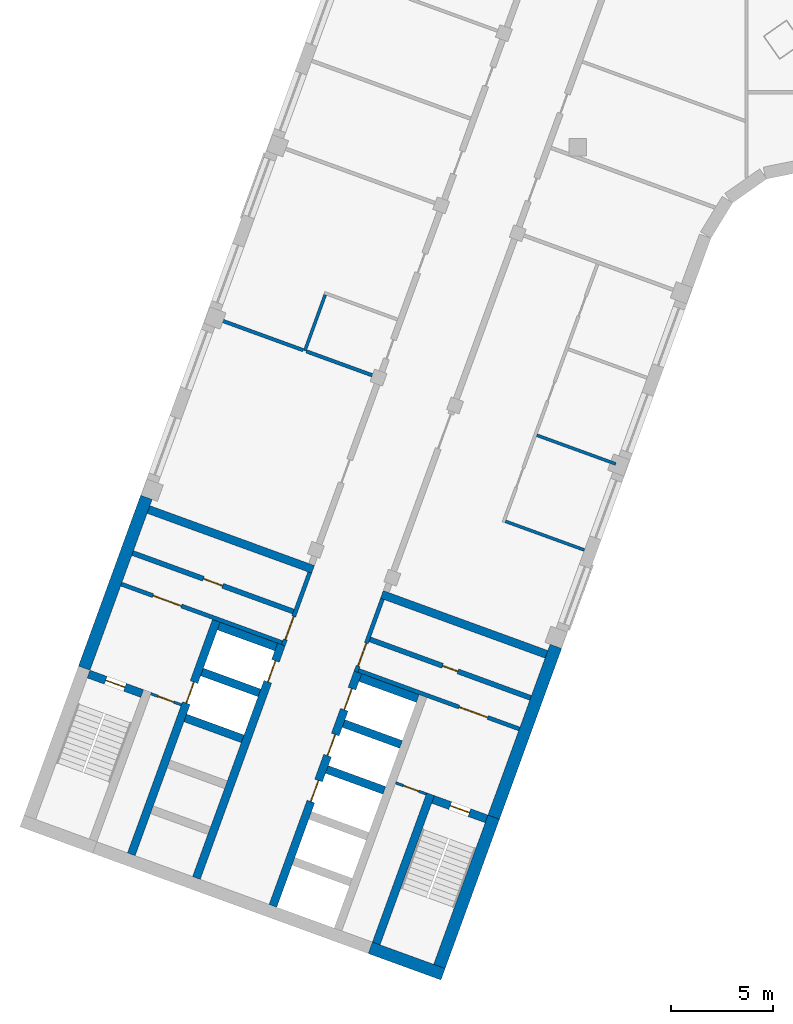
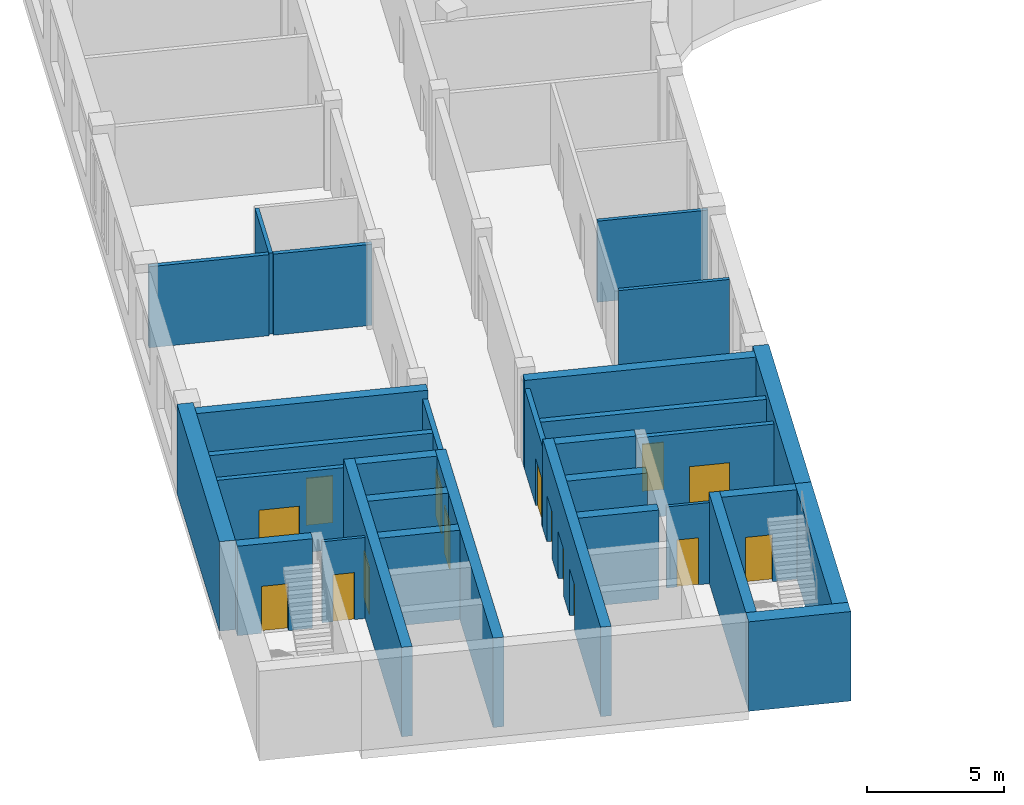
# One storey, part 2 of 8: 31 walls, 15 doors, 15 openings.
"""IFC4 building model written with IfcOpenShell, lengths in metres."""

from ifc_helpers import new_model, si_unit, direction, frame, frame_2d, origin, place, context, subcontext, project, spatial, rectangle, extrude, material, layer, layer_set, type_object, element, fill, save


model = new_model("IFC4")

# Units and contexts
model_context = context("Model", 3, precision=1e-05, world=origin(), true_north=direction((0.0, 1.0)))
body_context = subcontext(model_context, "Body", "Model", "MODEL_VIEW")
ifc_project = project(units=[si_unit("LENGTHUNIT", "METRE"), si_unit("AREAUNIT", "SQUARE_METRE"), si_unit("VOLUMEUNIT", "CUBIC_METRE"), si_unit("PLANEANGLEUNIT", "RADIAN"), si_unit("MASSUNIT", "GRAM", prefix="KILO")], contexts=[model_context])

# Site, building, storey
site_placement = place(None, origin())
site = spatial("IfcSite", under=ifc_project, at=site_placement, CompositionType="ELEMENT")
building_placement = place(site_placement, origin())
building = spatial("IfcBuilding", under=site, at=building_placement, Name="Skarvind Civic Tower", CompositionType="ELEMENT")
storey_placement = place(building_placement, frame((0.0, 0.0, 125.0)))
storey = spatial("IfcBuildingStorey", under=building, at=storey_placement, Name="L29", CompositionType="ELEMENT", Elevation=125.0)

# Walls
ifc_material_1 = material(Name="Acoustic gypsum board on steel studs", Category="steel")
ifc_layer_1 = layer(ifc_material_1, 0.175048828125)
ifc_layer_set_1 = layer_set([ifc_layer_1], Name="ACOUSTIC MEETING-ROOM PARTITION 175")
wall_type_1 = type_object("IfcWallType", Name="ACOUSTIC MEETING-ROOM PARTITION 175", PredefinedType="PARTITIONING", material=ifc_layer_set_1)
wall_1_placement = place(storey_placement, frame((28.27490234375, 109.708984375, 0.0), z_axis=(0.0, 0.0, 1.0), x_axis=(0.939727969122, -0.34192300895, 0.0)))
element("IfcWall", 1, at=wall_1_placement, inside=storey, type_object=wall_type_1, Name="Partition 29.001", PredefinedType="PARTITIONING", context=body_context, shape_type="SweptSolid", body=[
    extrude(rectangle(XDim=4.46630859375, YDim=0.175048828125, at=frame_2d((2.233154296875, 0.0))), origin(), (0.0, 0.0, 1.0), 3.625),
])
wall_2_placement = place(storey_placement, frame((32.6298828125, 108.1240234375, 0.0), z_axis=(0.0, 0.0, 1.0), x_axis=(0.939692277825, -0.342021085601, 0.0)))
element("IfcWall", 2, at=wall_2_placement, inside=storey, type_object=wall_type_1, Name="Partition 29.003", PredefinedType="PARTITIONING", context=body_context, shape_type="SweptSolid", body=[
    extrude(rectangle(XDim=3.666259765625, YDim=0.175048828125, at=frame_2d((1.8330078125, 0.0))), origin(), (0.0, 0.0, 1.0), 3.625),
])

# Wall, opening, door
ifc_material_2 = material(Name="Fire-rated masonry partition", Category="masonry")
ifc_layer_2 = layer(ifc_material_2, 0.199951171875)
ifc_layer_set_2 = layer_set([ifc_layer_2], Name="Core enclosure wall 200")
wall_type_2 = type_object("IfcWallType", Name="Core enclosure wall 200", PredefinedType="PARTITIONING", material=ifc_layer_set_2)
wall_3_placement = place(storey_placement, frame((31.491455078125, 93.693359375, 0.0), z_axis=(0.0, 0.0, 1.0), x_axis=(0.341995824804, 0.939701471648, 0.0)))
wall_3 = element("IfcWall", 3, at=wall_3_placement, inside=storey, type_object=wall_type_2, Name="Core wall C2", PredefinedType="PARTITIONING", context=body_context, shape_type="SweptSolid", body=[
    extrude(rectangle(XDim=3.800048828125, YDim=0.199951171875, at=frame_2d((1.89990234375, 0.0))), origin(), (0.0, 0.0, 1.0), 3.625),
])
opening_1_placement = place(wall_3_placement, frame((0.300048828125, 0.0, 0.0)))
opening_1 = element("IfcOpeningElement", 4, at=opening_1_placement, cuts=wall_3, Name="Opening D-L29-C2-05", PredefinedType="OPENING", context=body_context, shape_type="SweptSolid", body=[
    extrude(rectangle(XDim=1.199951171875, YDim=2.10009765625, at=frame_2d((0.60009765625, 1.050048828125))), frame((0.0, 0.10986328125, 0.0), z_axis=(0.0, -1.0, 0.0), x_axis=(1.0, 0.0, 0.0)), (0.0, 0.0, 1.0), 0.219970703125),
])
ifc_material_3 = material(Name="Fire-rated steel door", Category="steel")
door_type_1 = type_object("IfcDoorType", Name="Core lobby door 1200", OperationType="NOTDEFINED", PredefinedType="DOOR", material=ifc_material_3)
door_1_placement = place(opening_1_placement, origin())
door_1 = element("IfcDoor", 5, at=door_1_placement, inside=storey, type_object=door_type_1, Name="Fire door", OperationType="DOUBLE_DOOR_SINGLE_SWING", OverallHeight=2.10009765625, OverallWidth=1.199951171875, PredefinedType="DOOR", context=body_context, shape_type="SweptSolid", body=[
    extrude(rectangle(XDim=1.199951171875, YDim=2.10009765625, at=frame_2d((0.60009765625, 1.050048828125))), frame((0.0, 0.02490234375, 0.0), z_axis=(0.0, -1.0, 0.0), x_axis=(1.0, 0.0, 0.0)), (0.0, 0.0, 1.0), 0.050048828125),
])
fill(opening_1, door_1)

wall_4_placement = place(storey_placement, frame((23.5380859375, 96.6943359375, 0.0), z_axis=(0.0, 0.0, 1.0), x_axis=(0.939691552312, -0.342023078919, 0.0)))
wall_4 = element("IfcWall", 6, at=wall_4_placement, inside=storey, type_object=wall_type_2, Name="Core wall C2", PredefinedType="PARTITIONING", context=body_context, shape_type="SweptSolid", body=[
    extrude(rectangle(XDim=8.400146484375, YDim=0.199951171875, at=frame_2d((4.2001953125, 0.0))), origin(), (0.0, 0.0, 1.0), 3.625),
])
opening_2_placement = place(wall_4_placement, frame((1.64990234375, 0.0, 0.0)))
opening_2 = element("IfcOpeningElement", 7, at=opening_2_placement, cuts=wall_4, Name="Opening D-L29-C2-06", PredefinedType="OPENING", context=body_context, shape_type="SweptSolid", body=[
    extrude(rectangle(XDim=1.5, YDim=2.10009765625, at=frame_2d((0.75, 1.050048828125))), frame((0.0, 0.10986328125, 0.0), z_axis=(0.0, -1.0, 0.0), x_axis=(1.0, 0.0, 0.0)), (0.0, 0.0, 1.0), 0.219970703125),
])
door_type_2 = type_object("IfcDoorType", Name="Fire door 1500", OperationType="NOTDEFINED", PredefinedType="DOOR", material=ifc_material_3)
door_2_placement = place(opening_2_placement, origin())
door_2 = element("IfcDoor", 8, at=door_2_placement, inside=storey, type_object=door_type_2, Name="Fire door", OperationType="DOUBLE_DOOR_SINGLE_SWING", OverallHeight=2.10009765625, OverallWidth=1.5, PredefinedType="DOOR", context=body_context, shape_type="SweptSolid", body=[
    extrude(rectangle(XDim=1.5, YDim=2.10009765625, at=frame_2d((0.75, 1.050048828125))), frame((0.0, 0.02490234375, 0.0), z_axis=(0.0, -1.0, 0.0), x_axis=(1.0, 0.0, 0.0)), (0.0, 0.0, 1.0), 0.050048828125),
])
fill(opening_2, door_2)

wall_5_placement = place(storey_placement, frame((36.36181640625, 95.96435546875, 0.0), z_axis=(0.0, 0.0, 1.0), x_axis=(-0.341995824804, -0.939701471648, 0.0)))
wall_5 = element("IfcWall", 9, at=wall_5_placement, inside=storey, type_object=wall_type_2, Name="Core wall C2", PredefinedType="PARTITIONING", context=body_context, shape_type="SweptSolid", body=[
    extrude(rectangle(XDim=3.800048828125, YDim=0.199951171875, at=frame_2d((1.89990234375, 0.0))), origin(), (0.0, 0.0, 1.0), 3.625),
])
opening_3_placement = place(wall_5_placement, frame((2.300048828125, 0.0, 0.0)))
opening_3 = element("IfcOpeningElement", 10, at=opening_3_placement, cuts=wall_5, Name="Opening D-L29-C2-10", PredefinedType="OPENING", context=body_context, shape_type="SweptSolid", body=[
    extrude(rectangle(XDim=1.199951171875, YDim=2.10009765625, at=frame_2d((0.60009765625, 1.050048828125))), frame((0.0, 0.10986328125, 0.0), z_axis=(0.0, -1.0, 0.0), x_axis=(1.0, 0.0, 0.0)), (0.0, 0.0, 1.0), 0.219970703125),
])
door_3_placement = place(opening_3_placement, origin())
door_3 = element("IfcDoor", 11, at=door_3_placement, inside=storey, type_object=door_type_1, Name="Fire door", OperationType="DOUBLE_DOOR_SINGLE_SWING", OverallHeight=2.10009765625, OverallWidth=1.199951171875, PredefinedType="DOOR", context=body_context, shape_type="SweptSolid", body=[
    extrude(rectangle(XDim=1.199951171875, YDim=2.10009765625, at=frame_2d((0.60009765625, 1.050048828125))), frame((0.0, 0.02490234375, 0.0), z_axis=(0.0, -1.0, 0.0), x_axis=(1.0, 0.0, 0.0)), (0.0, 0.0, 1.0), 0.050048828125),
])
fill(opening_3, door_3)

wall_6_placement = place(storey_placement, frame((35.1904296875, 92.453369140625, 0.0), z_axis=(0.0, 0.0, 1.0), x_axis=(0.939691552312, -0.342023078919, 0.0)))
wall_6 = element("IfcWall", 12, at=wall_6_placement, inside=storey, type_object=wall_type_2, Name="Core wall C2", PredefinedType="PARTITIONING", context=body_context, shape_type="SweptSolid", body=[
    extrude(rectangle(XDim=8.400146484375, YDim=0.199951171875, at=frame_2d((4.2001953125, 0.0))), origin(), (0.0, 0.0, 1.0), 3.625),
])
opening_4_placement = place(wall_6_placement, frame((5.25, 0.0, 0.0)))
opening_4 = element("IfcOpeningElement", 13, at=opening_4_placement, cuts=wall_6, Name="Opening D-L29-C2-11", PredefinedType="OPENING", context=body_context, shape_type="SweptSolid", body=[
    extrude(rectangle(XDim=1.5, YDim=2.10009765625, at=frame_2d((0.75, 1.050048828125))), frame((0.0, 0.10986328125, 0.0), z_axis=(0.0, -1.0, 0.0), x_axis=(1.0, 0.0, 0.0)), (0.0, 0.0, 1.0), 0.219970703125),
])
door_4_placement = place(opening_4_placement, origin())
door_4 = element("IfcDoor", 14, at=door_4_placement, inside=storey, type_object=door_type_2, Name="Fire door", OperationType="DOUBLE_DOOR_SINGLE_SWING", OverallHeight=2.10009765625, OverallWidth=1.5, PredefinedType="DOOR", context=body_context, shape_type="SweptSolid", body=[
    extrude(rectangle(XDim=1.5, YDim=2.10009765625, at=frame_2d((0.75, 1.050048828125))), frame((0.0, 0.02490234375, 0.0), z_axis=(0.0, -1.0, 0.0), x_axis=(1.0, 0.0, 0.0)), (0.0, 0.0, 1.0), 0.050048828125),
])
fill(opening_4, door_4)

# Wall
ifc_material_4 = material(Name="Concrete C80", Category="concrete")
ifc_layer_3 = layer(ifc_material_4, 0.39990234375)
ifc_layer_set_3 = layer_set([ifc_layer_3], Name="Core wall 400 C80")
wall_type_3 = type_object("IfcWallType", Name="Core wall 400 C80", PredefinedType="SHEAR", material=ifc_layer_set_3)
wall_7_placement = place(storey_placement, frame((36.057861328125, 79.04833984375, 0.0), z_axis=(0.0, 0.0, 1.0), x_axis=(0.342016982193, 0.939693771338, 0.0)))
element("IfcWall", 15, at=wall_7_placement, inside=storey, type_object=wall_type_3, Name="Core wall C2 south stair inner L29", PredefinedType="SHEAR", context=body_context, shape_type="SweptSolid", body=[
    extrude(rectangle(XDim=7.800048828125, YDim=0.39990234375, at=frame_2d((3.89990234375, 0.0))), origin(), (0.0, 0.0, 1.0), 4.0),
])

# Wall, opening, door
wall_8_placement = place(storey_placement, frame((41.476318359375, 85.163818359375, 0.0), z_axis=(0.0, 0.0, 1.0), x_axis=(-0.939678810556, 0.342058084236, 0.0)))
wall_8 = element("IfcWall", 16, at=wall_8_placement, inside=storey, type_object=wall_type_3, Name="Core wall C2 south stair end L29", PredefinedType="SHEAR", context=body_context, shape_type="SweptSolid", body=[
    extrude(rectangle(XDim=2.800048828125, YDim=0.39990234375, at=frame_2d((1.39990234375, 0.0))), origin(), (0.0, 0.0, 1.0), 4.0),
])
opening_5_placement = place(wall_8_placement, frame((0.89990234375, 0.0, 0.0)))
opening_5 = element("IfcOpeningElement", 17, at=opening_5_placement, cuts=wall_8, Name="Opening D-L29-C2-12", PredefinedType="OPENING", context=body_context, shape_type="SweptSolid", body=[
    extrude(rectangle(XDim=1.0, YDim=2.10009765625, at=frame_2d((0.5, 1.050048828125))), frame((0.0, 0.2099609375, 0.0), z_axis=(0.0, -1.0, 0.0), x_axis=(1.0, 0.0, 0.0)), (0.0, 0.0, 1.0), 0.419921875),
])
door_type_3 = type_object("IfcDoorType", Name="Fire door 1000", OperationType="NOTDEFINED", PredefinedType="DOOR", material=ifc_material_3)
door_5_placement = place(opening_5_placement, origin())
door_5 = element("IfcDoor", 18, at=door_5_placement, inside=storey, type_object=door_type_3, Name="Fire door", OperationType="SINGLE_SWING_RIGHT", OverallHeight=2.10009765625, OverallWidth=1.0, PredefinedType="DOOR", context=body_context, shape_type="SweptSolid", body=[
    extrude(rectangle(XDim=1.0, YDim=2.10009765625, at=frame_2d((0.5, 1.050048828125))), frame((0.0, 0.02490234375, 0.0), z_axis=(0.0, -1.0, 0.0), x_axis=(1.0, 0.0, 0.0)), (0.0, 0.0, 1.0), 0.050048828125),
])
fill(opening_5, door_5)

wall_9_placement = place(storey_placement, frame((24.56201171875, 91.3203125, 0.0), z_axis=(0.0, 0.0, 1.0), x_axis=(-0.939717030584, 0.341953070509, 0.0)))
wall_9 = element("IfcWall", 19, at=wall_9_placement, inside=storey, type_object=wall_type_3, Name="Core wall C2 north stair end L29", PredefinedType="SHEAR", context=body_context, shape_type="SweptSolid", body=[
    extrude(rectangle(XDim=2.800048828125, YDim=0.39990234375, at=frame_2d((1.39990234375, 0.0))), origin(), (0.0, 0.0, 1.0), 4.0),
])
opening_6_placement = place(wall_9_placement, frame((0.89990234375, 0.0, 0.0)))
opening_6 = element("IfcOpeningElement", 20, at=opening_6_placement, cuts=wall_9, Name="Opening D-L29-C2-07", PredefinedType="OPENING", context=body_context, shape_type="SweptSolid", body=[
    extrude(rectangle(XDim=1.0, YDim=2.10009765625, at=frame_2d((0.5, 1.050048828125))), frame((0.0, 0.2099609375, 0.0), z_axis=(0.0, -1.0, 0.0), x_axis=(1.0, 0.0, 0.0)), (0.0, 0.0, 1.0), 0.419921875),
])
door_6_placement = place(opening_6_placement, origin())
door_6 = element("IfcDoor", 21, at=door_6_placement, inside=storey, type_object=door_type_3, Name="Fire door", OperationType="SINGLE_SWING_LEFT", OverallHeight=2.10009765625, OverallWidth=1.0, PredefinedType="DOOR", context=body_context, shape_type="SweptSolid", body=[
    extrude(rectangle(XDim=1.0, YDim=2.10009765625, at=frame_2d((0.5, 1.050048828125))), frame((0.0, 0.02490234375, 0.0), z_axis=(0.0, -1.0, 0.0), x_axis=(1.0, 0.0, 0.0)), (0.0, 0.0, 1.0), 0.050048828125),
])
fill(opening_6, door_6)

# Wall, openings, doors
wall_10_placement = place(storey_placement, frame((30.983642578125, 80.895263671875, 0.0), z_axis=(0.0, 0.0, 1.0), x_axis=(0.342021021735, 0.939692301071, 0.0)))
wall_10 = element("IfcWall", 22, at=wall_10_placement, inside=storey, type_object=wall_type_3, Name="Core wall C2 south lift row front L29", PredefinedType="SHEAR", context=body_context, shape_type="SweptSolid", body=[
    extrude(rectangle(XDim=12.199951171875, YDim=0.39990234375, at=frame_2d((6.10009765625, 0.0))), origin(), (0.0, 0.0, 1.0), 4.0),
])
opening_7_placement = place(wall_10_placement, frame((5.449951171875, 0.0, 0.0)))
opening_7 = element("IfcOpeningElement", 23, at=opening_7_placement, cuts=wall_10, Name="Opening LD31208", PredefinedType="OPENING", context=body_context, shape_type="SweptSolid", body=[
    extrude(rectangle(XDim=1.10009765625, YDim=2.10009765625, at=frame_2d((0.550048828125, 1.050048828125))), frame((0.0, 0.2099609375, 0.0), z_axis=(0.0, -1.0, 0.0), x_axis=(1.0, 0.0, 0.0)), (0.0, 0.0, 1.0), 0.419921875),
])
opening_8_placement = place(wall_10_placement, frame((7.85009765625, 0.0, 0.0)))
opening_8 = element("IfcOpeningElement", 24, at=opening_8_placement, cuts=wall_10, Name="Opening LD31209", PredefinedType="OPENING", context=body_context, shape_type="SweptSolid", body=[
    extrude(rectangle(XDim=1.10009765625, YDim=2.10009765625, at=frame_2d((0.550048828125, 1.050048828125))), frame((0.0, 0.2099609375, 0.0), z_axis=(0.0, -1.0, 0.0), x_axis=(1.0, 0.0, 0.0)), (0.0, 0.0, 1.0), 0.419921875),
])
opening_9_placement = place(wall_10_placement, frame((10.25, 0.0, 0.0)))
opening_9 = element("IfcOpeningElement", 25, at=opening_9_placement, cuts=wall_10, Name="Opening LD31210", PredefinedType="OPENING", context=body_context, shape_type="SweptSolid", body=[
    extrude(rectangle(XDim=1.10009765625, YDim=2.10009765625, at=frame_2d((0.550048828125, 1.050048828125))), frame((0.0, 0.2099609375, 0.0), z_axis=(0.0, -1.0, 0.0), x_axis=(1.0, 0.0, 0.0)), (0.0, 0.0, 1.0), 0.419921875),
])
ifc_material_5 = material(Name="Stainless steel landing door", Category="steel")
door_type_4 = type_object("IfcDoorType", Name="Lift landing door 1100", OperationType="DOUBLE_DOOR_SLIDING", PredefinedType="DOOR", material=ifc_material_5)
door_7_placement = place(opening_7_placement, origin())
door_7 = element("IfcDoor", 26, at=door_7_placement, inside=storey, type_object=door_type_4, Name="Lift landing door", OperationType="DOUBLE_DOOR_SLIDING", OverallHeight=2.10009765625, OverallWidth=1.10009765625, PredefinedType="DOOR", context=body_context, shape_type="SweptSolid", body=[
    extrude(rectangle(XDim=1.10009765625, YDim=2.10009765625, at=frame_2d((0.550048828125, 1.050048828125))), frame((0.0, 0.02490234375, 0.0), z_axis=(0.0, -1.0, 0.0), x_axis=(1.0, 0.0, 0.0)), (0.0, 0.0, 1.0), 0.050048828125),
])
fill(opening_7, door_7)
door_8_placement = place(opening_8_placement, origin())
door_8 = element("IfcDoor", 27, at=door_8_placement, inside=storey, type_object=door_type_4, Name="Lift landing door", OperationType="DOUBLE_DOOR_SLIDING", OverallHeight=2.10009765625, OverallWidth=1.10009765625, PredefinedType="DOOR", context=body_context, shape_type="SweptSolid", body=[
    extrude(rectangle(XDim=1.10009765625, YDim=2.10009765625, at=frame_2d((0.550048828125, 1.050048828125))), frame((0.0, 0.02490234375, 0.0), z_axis=(0.0, -1.0, 0.0), x_axis=(1.0, 0.0, 0.0)), (0.0, 0.0, 1.0), 0.050048828125),
])
fill(opening_8, door_8)
door_9_placement = place(opening_9_placement, origin())
door_9 = element("IfcDoor", 28, at=door_9_placement, inside=storey, type_object=door_type_4, Name="Lift landing door", OperationType="DOUBLE_DOOR_SLIDING", OverallHeight=2.10009765625, OverallWidth=1.10009765625, PredefinedType="DOOR", context=body_context, shape_type="SweptSolid", body=[
    extrude(rectangle(XDim=1.10009765625, YDim=2.10009765625, at=frame_2d((0.550048828125, 1.050048828125))), frame((0.0, 0.02490234375, 0.0), z_axis=(0.0, -1.0, 0.0), x_axis=(1.0, 0.0, 0.0)), (0.0, 0.0, 1.0), 0.050048828125),
])
fill(opening_9, door_9)

# Walls
for number, where, z_axis, x_axis, name in (
    (29, (36.453125, 86.56640625, 0.0), (0.0, 0.0, 1.0), (-0.939686455819, 0.342037080957, 0.0), "Core wall C2 south lift row division 3 L29"),
    (30, (37.27392578125, 88.82177734375, 0.0), (0.0, 0.0, 1.0), (-0.939686455819, 0.342037080957, 0.0), "Core wall C2 south lift row division 4 L29"),
):
    element("IfcWall", number, at=place(storey_placement, frame(where, z_axis=z_axis, x_axis=x_axis)), inside=storey, type_object=wall_type_3, Name=name, PredefinedType="SHEAR", context=body_context, shape_type="SweptSolid", body=[
        extrude(rectangle(XDim=3.0, YDim=0.39990234375, at=frame_2d((1.5, 0.0))), origin(), (0.0, 0.0, 1.0), 4.0),
    ])
wall_11_placement = place(storey_placement, frame((38.0947265625, 91.076904296875, 0.0), z_axis=(0.0, 0.0, 1.0), x_axis=(-0.939676934218, 0.342063238742, 0.0)))
element("IfcWall", 31, at=wall_11_placement, inside=storey, type_object=wall_type_3, Name="Core wall C2 south lift row division 5 L29", PredefinedType="SHEAR", context=body_context, shape_type="SweptSolid", body=[
    extrude(rectangle(XDim=2.999755859375, YDim=0.39990234375, at=frame_2d((1.5, 0.0))), origin(), (0.0, 0.0, 1.0), 4.0),
])

# Wall, opening, door
wall_12_placement = place(storey_placement, frame((27.224853515625, 82.26318359375, 0.0), z_axis=(0.0, 0.0, 1.0), x_axis=(0.342014590177, 0.939694641948, 0.0)))
wall_12 = element("IfcWall", 32, at=wall_12_placement, inside=storey, type_object=wall_type_3, Name="Core wall C2 north lift row front L29", PredefinedType="SHEAR", context=body_context, shape_type="SweptSolid", body=[
    extrude(rectangle(XDim=12.2001953125, YDim=0.39990234375, at=frame_2d((6.10009765625, 0.0))), origin(), (0.0, 0.0, 1.0), 4.0),
])
opening_10_placement = place(wall_12_placement, frame((10.25, 0.0, 0.0)))
opening_10 = element("IfcOpeningElement", 33, at=opening_10_placement, cuts=wall_12, Name="Opening LD31205", PredefinedType="OPENING", context=body_context, shape_type="SweptSolid", body=[
    extrude(rectangle(XDim=1.10009765625, YDim=2.10009765625, at=frame_2d((0.550048828125, 1.050048828125))), frame((0.0, 0.2099609375, 0.0), z_axis=(0.0, -1.0, 0.0), x_axis=(1.0, 0.0, 0.0)), (0.0, 0.0, 1.0), 0.419921875),
])
door_10_placement = place(opening_10_placement, origin())
door_10 = element("IfcDoor", 34, at=door_10_placement, inside=storey, type_object=door_type_4, Name="Lift landing door", OperationType="DOUBLE_DOOR_SLIDING", OverallHeight=2.10009765625, OverallWidth=1.10009765625, PredefinedType="DOOR", context=body_context, shape_type="SweptSolid", body=[
    extrude(rectangle(XDim=1.10009765625, YDim=2.10009765625, at=frame_2d((0.550048828125, 1.050048828125))), frame((0.0, 0.02490234375, 0.0), z_axis=(0.0, -1.0, 0.0), x_axis=(1.0, 0.0, 0.0)), (0.0, 0.0, 1.0), 0.050048828125),
])
fill(opening_10, door_10)

wall_13_placement = place(storey_placement, frame((24.02978515625, 83.426025390625, 0.0), z_axis=(0.0, 0.0, 1.0), x_axis=(0.342014590177, 0.939694641948, 0.0)))
wall_13 = element("IfcWall", 35, at=wall_13_placement, inside=storey, type_object=wall_type_3, Name="Core wall C2 north lift row back L29", PredefinedType="SHEAR", context=body_context, shape_type="SweptSolid", body=[
    extrude(rectangle(XDim=12.2001953125, YDim=0.39990234375, at=frame_2d((6.10009765625, 0.0))), origin(), (0.0, 0.0, 1.0), 4.0),
])
opening_11_placement = place(wall_13_placement, frame((7.89990234375, 0.0, 0.0)))
opening_11 = element("IfcOpeningElement", 36, at=opening_11_placement, cuts=wall_13, Name="Opening LD31204", PredefinedType="OPENING", context=body_context, shape_type="SweptSolid", body=[
    extrude(rectangle(XDim=1.10009765625, YDim=2.10009765625, at=frame_2d((0.550048828125, 1.050048828125))), frame((0.0, 0.2099609375, 0.0), z_axis=(0.0, -1.0, 0.0), x_axis=(1.0, 0.0, 0.0)), (0.0, 0.0, 1.0), 0.419921875),
])
door_11_placement = place(opening_11_placement, origin())
door_11 = element("IfcDoor", 37, at=door_11_placement, inside=storey, type_object=door_type_4, Name="Lift landing door", OperationType="DOUBLE_DOOR_SLIDING", OverallHeight=2.10009765625, OverallWidth=1.10009765625, PredefinedType="DOOR", context=body_context, shape_type="SweptSolid", body=[
    extrude(rectangle(XDim=1.10009765625, YDim=2.10009765625, at=frame_2d((0.550048828125, 1.050048828125))), frame((0.0, 0.02490234375, 0.0), z_axis=(0.0, -1.0, 0.0), x_axis=(1.0, 0.0, 0.0)), (0.0, 0.0, 1.0), 0.050048828125),
])
fill(opening_11, door_11)

# Walls
for number, where, z_axis, x_axis, name in (
    (38, (29.49951171875, 89.097412109375, 0.0), (0.0, 0.0, 1.0), (-0.939686455819, 0.342037080957, 0.0), "Core wall C2 north lift row division 3 L29"),
    (39, (30.3203125, 91.352783203125, 0.0), (0.0, 0.0, 1.0), (-0.939712609717, 0.341965219194, 0.0), "Core wall C2 north lift row division 4 L29"),
    (40, (31.14111328125, 93.60791015625, 0.0), (0.0, 0.0, 1.0), (-0.939686455819, 0.342037080957, 0.0), "Core wall C2 north lift row division 5 L29"),
):
    element("IfcWall", number, at=place(storey_placement, frame(where, z_axis=z_axis, x_axis=x_axis)), inside=storey, type_object=wall_type_3, Name=name, PredefinedType="SHEAR", context=body_context, shape_type="SweptSolid", body=[
        extrude(rectangle(XDim=3.0, YDim=0.39990234375, at=frame_2d((1.5, 0.0))), origin(), (0.0, 0.0, 1.0), 4.0),
    ])
for number, where, z_axis, x_axis, name in (
    (41, (44.417724609375, 93.2451171875, 0.0), (0.0, 0.0, 1.0), (-0.93969060187, 0.342025690201, 0.0), "Core wall C2 south inner face L29"),
    (42, (32.953369140625, 97.417724609375, 0.0), (0.0, 0.0, 1.0), (-0.93969060187, 0.342025690201, 0.0), "Core wall C2 north inner face L29"),
):
    element("IfcWall", number, at=place(storey_placement, frame(where, z_axis=z_axis, x_axis=x_axis)), inside=storey, type_object=wall_type_3, Name=name, PredefinedType="SHEAR", context=body_context, shape_type="SweptSolid", body=[
        extrude(rectangle(XDim=8.599853515625, YDim=0.39990234375, at=frame_2d((4.2998046875, 0.0))), origin(), (0.0, 0.0, 1.0), 4.0),
    ])
ifc_layer_4 = layer(ifc_material_4, 0.60009765625)
ifc_layer_set_4 = layer_set([ifc_layer_4], Name="Core wall 600 C80")
wall_type_4 = type_object("IfcWallType", Name="Core wall 600 C80", PredefinedType="SHEAR", material=ifc_layer_set_4)
wall_14_placement = place(storey_placement, frame((39.338134765625, 77.53515625, 0.0), z_axis=(0.0, 0.0, 1.0), x_axis=(-0.939701471648, 0.341995824804, 0.0)))
element("IfcWall", 43, at=wall_14_placement, inside=storey, type_object=wall_type_4, Name="Core wall C2 tip at the south stair L29", PredefinedType="SHEAR", context=body_context, shape_type="SweptSolid", body=[
    extrude(rectangle(XDim=3.800048828125, YDim=0.60009765625, at=frame_2d((1.89990234375, 0.0))), origin(), (0.0, 0.0, 1.0), 4.0),
])
wall_15_placement = place(storey_placement, frame((39.158935546875, 77.919677734375, 0.0), z_axis=(0.0, 0.0, 1.0), x_axis=(0.342016982193, 0.939693771338, 0.0)))
element("IfcWall", 44, at=wall_15_placement, inside=storey, type_object=wall_type_4, Name="Core wall C2 south side at the stair L29", PredefinedType="SHEAR", context=body_context, shape_type="SweptSolid", body=[
    extrude(rectangle(XDim=7.800048828125, YDim=0.60009765625, at=frame_2d((3.89990234375, 0.0))), origin(), (0.0, 0.0, 1.0), 4.0),
])
for number, where, z_axis, x_axis, name in (
    (45, (41.82666015625, 85.249267578125, 0.0), (0.0, 0.0, 1.0), (0.342017595281, 0.939693548195, 0.0), "Core wall C2 south side L29"),
    (46, (21.71728515625, 92.568359375, 0.0), (0.0, 0.0, 1.0), (0.342017595281, 0.939693548195, 0.0), "Core wall C2 north side L29"),
):
    element("IfcWall", number, at=place(storey_placement, frame(where, z_axis=z_axis, x_axis=x_axis)), inside=storey, type_object=wall_type_4, Name=name, PredefinedType="SHEAR", context=body_context, shape_type="SweptSolid", body=[
        extrude(rectangle(XDim=8.925048828125, YDim=0.60009765625, at=frame_2d((4.46240234375, 0.0))), origin(), (0.0, 0.0, 1.0), 4.0),
    ])
ifc_material_6 = material(Name="Plasterboard partition on steel studs", Category="steel")
ifc_layer_5 = layer(ifc_material_6, 0.14990234375)
ifc_layer_set_5 = layer_set([ifc_layer_5], Name="PARTITION 150")
wall_type_5 = type_object("IfcWallType", Name="PARTITION 150", PredefinedType="PARTITIONING", material=ifc_layer_set_5)
wall_16_placement = place(storey_placement, frame((32.551025390625, 108.153076171875, 0.0), z_axis=(0.0, 0.0, 1.0), x_axis=(0.341850278959, 0.939754428974, 0.0)))
element("IfcWall", 47, at=wall_16_placement, inside=storey, type_object=wall_type_5, Name="Partition 29.004", PredefinedType="PARTITIONING", context=body_context, shape_type="SweptSolid", body=[
    extrude(rectangle(XDim=2.92529296875, YDim=0.14990234375, at=frame_2d((1.462646484375, 0.0))), origin(), (0.0, 0.0, 1.0), 3.625),
])
wall_17_placement = place(storey_placement, frame((46.281982421875, 98.366943359375, 0.0), z_axis=(0.0, 0.0, 1.0), x_axis=(-0.939765774653, 0.341819087808, 0.0)))
element("IfcWall", 48, at=wall_17_placement, inside=storey, type_object=wall_type_5, Name="Partition 29.008", PredefinedType="PARTITIONING", context=body_context, shape_type="SweptSolid", body=[
    extrude(rectangle(XDim=4.12548828125, YDim=0.14990234375, at=frame_2d((2.062744140625, 0.0))), origin(), (0.0, 0.0, 1.0), 3.625),
])
wall_18_placement = place(storey_placement, frame((43.944091796875, 104.006103515625, 0.0), z_axis=(0.0, 0.0, 1.0), x_axis=(0.939689717042, -0.34202812119, 0.0)))
element("IfcWall", 49, at=wall_18_placement, inside=storey, type_object=wall_type_5, Name="Partition 29.012", PredefinedType="PARTITIONING", context=body_context, shape_type="SweptSolid", body=[
    extrude(rectangle(XDim=4.125732421875, YDim=0.14990234375, at=frame_2d((2.06298828125, 0.0))), origin(), (0.0, 0.0, 1.0), 3.625),
])

# Wall, opening, door
ifc_layer_6 = layer(ifc_material_2, 0.125)
ifc_layer_set_6 = layer_set([ifc_layer_6], Name="Riser wall 125")
wall_type_6 = type_object("IfcWallType", Name="Riser wall 125", PredefinedType="PARTITIONING", material=ifc_layer_set_6)
wall_19_placement = place(storey_placement, frame((24.98486328125, 91.3125, 0.0), z_axis=(0.0, 0.0, 1.0), x_axis=(0.939708740826, -0.341975850632, 0.0)))
wall_19 = element("IfcWall", 50, at=wall_19_placement, inside=storey, type_object=wall_type_6, Name="Core wall C2", PredefinedType="PARTITIONING", context=body_context, shape_type="SweptSolid", body=[
    extrude(rectangle(XDim=1.599853515625, YDim=0.125, at=frame_2d((0.7998046875, 0.0))), origin(), (0.0, 0.0, 1.0), 3.625),
])
opening_12_placement = place(wall_19_placement, frame((0.39990234375, 0.0, 0.0)))
opening_12 = element("IfcOpeningElement", 51, at=opening_12_placement, cuts=wall_19, Name="Opening D-L29-C2-08", PredefinedType="OPENING", context=body_context, shape_type="SweptSolid", body=[
    extrude(rectangle(XDim=0.800048828125, YDim=2.10009765625, at=frame_2d((0.39990234375, 1.050048828125))), frame((0.0, 0.072509765625, 0.0), z_axis=(0.0, -1.0, 0.0), x_axis=(1.0, 0.0, 0.0)), (0.0, 0.0, 1.0), 0.14501953125),
])
door_type_5 = type_object("IfcDoorType", Name="Core riser door 800", OperationType="NOTDEFINED", PredefinedType="DOOR", material=ifc_material_3)
door_12_placement = place(opening_12_placement, origin())
door_12 = element("IfcDoor", 52, at=door_12_placement, inside=storey, type_object=door_type_5, Name="Riser door", OperationType="SINGLE_SWING_RIGHT", OverallHeight=2.10009765625, OverallWidth=0.800048828125, PredefinedType="DOOR", context=body_context, shape_type="SweptSolid", body=[
    extrude(rectangle(XDim=0.800048828125, YDim=2.10009765625, at=frame_2d((0.39990234375, 1.050048828125))), frame((0.0, 0.02490234375, 0.0), z_axis=(0.0, -1.0, 0.0), x_axis=(1.0, 0.0, 0.0)), (0.0, 0.0, 1.0), 0.050048828125),
])
fill(opening_12, door_12)

wall_20_placement = place(storey_placement, frame((37.012939453125, 86.934814453125, 0.0), z_axis=(0.0, 0.0, 1.0), x_axis=(0.939659694648, -0.342110593602, 0.0)))
wall_20 = element("IfcWall", 53, at=wall_20_placement, inside=storey, type_object=wall_type_6, Name="Core wall C2", PredefinedType="PARTITIONING", context=body_context, shape_type="SweptSolid", body=[
    extrude(rectangle(XDim=1.599853515625, YDim=0.125, at=frame_2d((0.7998046875, 0.0))), origin(), (0.0, 0.0, 1.0), 3.625),
])
opening_13_placement = place(wall_20_placement, frame((0.39990234375, 0.0, 0.0)))
opening_13 = element("IfcOpeningElement", 54, at=opening_13_placement, cuts=wall_20, Name="Opening D-L29-C2-13", PredefinedType="OPENING", context=body_context, shape_type="SweptSolid", body=[
    extrude(rectangle(XDim=0.800048828125, YDim=2.10009765625, at=frame_2d((0.39990234375, 1.050048828125))), frame((0.0, 0.072509765625, 0.0), z_axis=(0.0, -1.0, 0.0), x_axis=(1.0, 0.0, 0.0)), (0.0, 0.0, 1.0), 0.14501953125),
])
door_13_placement = place(opening_13_placement, origin())
door_13 = element("IfcDoor", 55, at=door_13_placement, inside=storey, type_object=door_type_5, Name="Riser door", OperationType="SINGLE_SWING_LEFT", OverallHeight=2.10009765625, OverallWidth=0.800048828125, PredefinedType="DOOR", context=body_context, shape_type="SweptSolid", body=[
    extrude(rectangle(XDim=0.800048828125, YDim=2.10009765625, at=frame_2d((0.39990234375, 1.050048828125))), frame((0.0, 0.02490234375, 0.0), z_axis=(0.0, -1.0, 0.0), x_axis=(1.0, 0.0, 0.0)), (0.0, 0.0, 1.0), 0.050048828125),
])
fill(opening_13, door_13)

ifc_layer_7 = layer(ifc_material_2, 0.25)
ifc_layer_set_7 = layer_set([ifc_layer_7], Name="Service block wall 250")
wall_type_7 = type_object("IfcWallType", Name="Service block wall 250", PredefinedType="PARTITIONING", material=ifc_layer_set_7)
wall_21_placement = place(storey_placement, frame((24.093994140625, 98.221435546875, 0.0), z_axis=(0.0, 0.0, 1.0), x_axis=(0.939691552312, -0.342023078919, 0.0)))
wall_21 = element("IfcWall", 56, at=wall_21_placement, inside=storey, type_object=wall_type_7, Name="Core wall C2", PredefinedType="PARTITIONING", context=body_context, shape_type="SweptSolid", body=[
    extrude(rectangle(XDim=8.400146484375, YDim=0.25, at=frame_2d((4.2001953125, 0.0))), origin(), (0.0, 0.0, 1.0), 3.625),
])
opening_14_placement = place(wall_21_placement, frame((3.699951171875, 0.0, 0.0)))
opening_14 = element("IfcOpeningElement", 57, at=opening_14_placement, cuts=wall_21, Name="Opening D-L29-C2-09", PredefinedType="OPENING", context=body_context, shape_type="SweptSolid", body=[
    extrude(rectangle(XDim=1.0, YDim=2.10009765625, at=frame_2d((0.5, 1.050048828125))), frame((0.0, 0.135009765625, 0.0), z_axis=(0.0, -1.0, 0.0), x_axis=(1.0, 0.0, 0.0)), (0.0, 0.0, 1.0), 0.27001953125),
])
door_14_placement = place(opening_14_placement, origin())
door_14 = element("IfcDoor", 58, at=door_14_placement, inside=storey, type_object=door_type_3, Name="Fire door", OperationType="SINGLE_SWING_LEFT", OverallHeight=2.10009765625, OverallWidth=1.0, PredefinedType="DOOR", context=body_context, shape_type="SweptSolid", body=[
    extrude(rectangle(XDim=1.0, YDim=2.10009765625, at=frame_2d((0.5, 1.050048828125))), frame((0.0, 0.02490234375, 0.0), z_axis=(0.0, -1.0, 0.0), x_axis=(1.0, 0.0, 0.0)), (0.0, 0.0, 1.0), 0.050048828125),
])
fill(opening_14, door_14)

wall_22_placement = place(storey_placement, frame((35.74609375, 93.98046875, 0.0), z_axis=(0.0, 0.0, 1.0), x_axis=(0.939691552312, -0.342023078919, 0.0)))
wall_22 = element("IfcWall", 59, at=wall_22_placement, inside=storey, type_object=wall_type_7, Name="Core wall C2", PredefinedType="PARTITIONING", context=body_context, shape_type="SweptSolid", body=[
    extrude(rectangle(XDim=8.400146484375, YDim=0.25, at=frame_2d((4.2001953125, 0.0))), origin(), (0.0, 0.0, 1.0), 3.625),
])
opening_15_placement = place(wall_22_placement, frame((3.800048828125, 0.0, 0.0)))
opening_15 = element("IfcOpeningElement", 60, at=opening_15_placement, cuts=wall_22, Name="Opening D-L29-C2-14", PredefinedType="OPENING", context=body_context, shape_type="SweptSolid", body=[
    extrude(rectangle(XDim=0.800048828125, YDim=2.10009765625, at=frame_2d((0.39990234375, 1.050048828125))), frame((0.0, 0.135009765625, 0.0), z_axis=(0.0, -1.0, 0.0), x_axis=(1.0, 0.0, 0.0)), (0.0, 0.0, 1.0), 0.27001953125),
])
door_15_placement = place(opening_15_placement, origin())
door_15 = element("IfcDoor", 61, at=door_15_placement, inside=storey, type_object=door_type_5, Name="Riser door", OperationType="SINGLE_SWING_RIGHT", OverallHeight=2.10009765625, OverallWidth=0.800048828125, PredefinedType="DOOR", context=body_context, shape_type="SweptSolid", body=[
    extrude(rectangle(XDim=0.800048828125, YDim=2.10009765625, at=frame_2d((0.39990234375, 1.050048828125))), frame((0.0, 0.02490234375, 0.0), z_axis=(0.0, -1.0, 0.0), x_axis=(1.0, 0.0, 0.0)), (0.0, 0.0, 1.0), 0.050048828125),
])
fill(opening_15, door_15)

save(model, "model.ifc")
